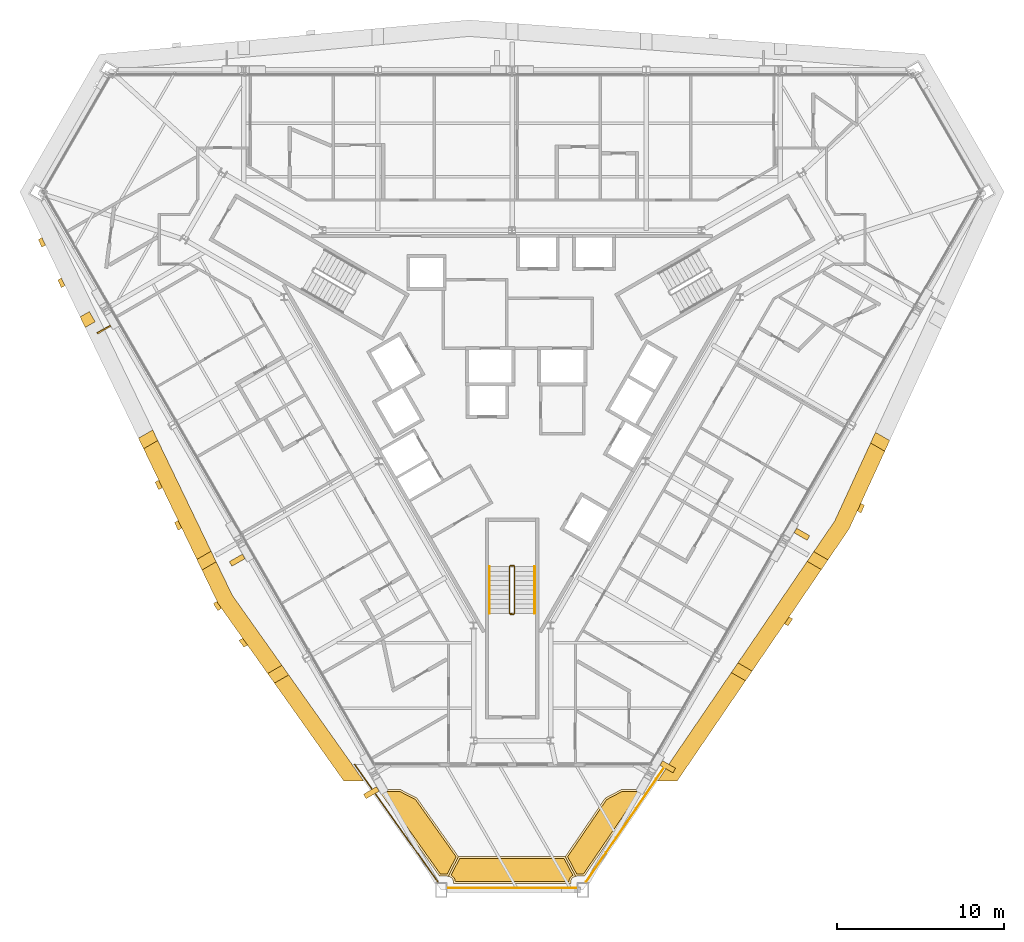
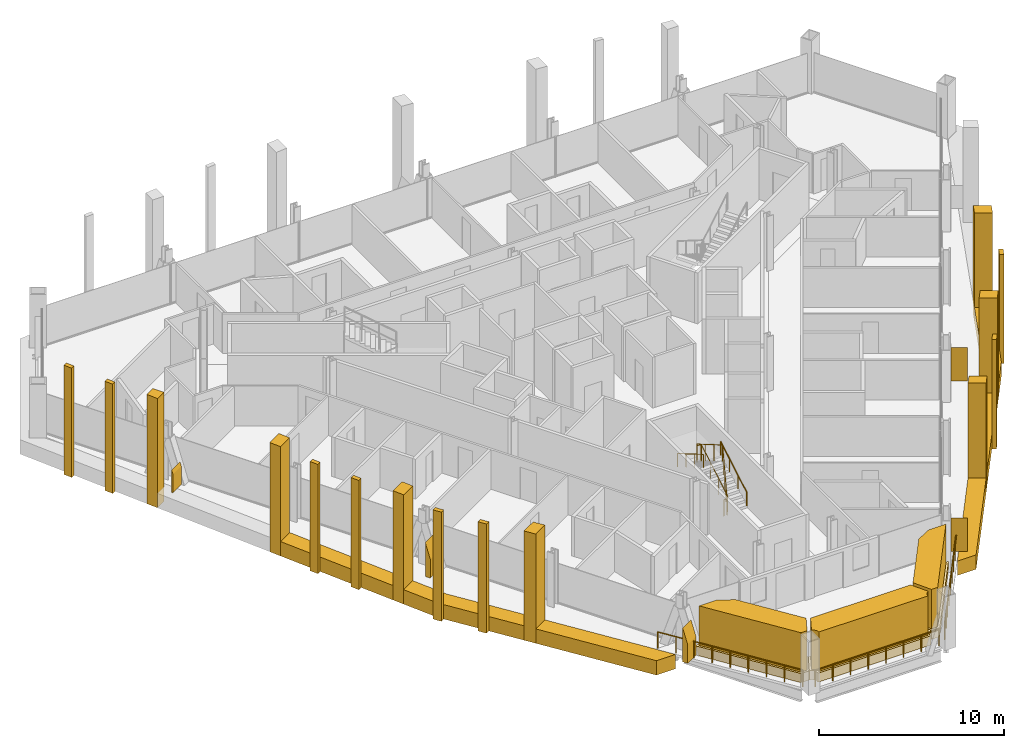
# One storey, part 15 of 16: 32 coverings, 6 railings.
"""IFC4 building model written with IfcOpenShell, lengths in metres."""

from ifc_helpers import new_model, si_unit, direction, frame, origin, origin_2d, place, context, subcontext, project, spatial, polyline, circle, outline, extrude, material, layer, layer_set, type_object, element, save


model = new_model("IFC4")

# Units and contexts
model_context = context("Model", 3, precision=1e-05, world=origin(), true_north=direction((0.0, 1.0)))
body_context = subcontext(model_context, "Body", "Model", "MODEL_VIEW")
ifc_project = project(units=[si_unit("LENGTHUNIT", "METRE"), si_unit("AREAUNIT", "SQUARE_METRE"), si_unit("VOLUMEUNIT", "CUBIC_METRE"), si_unit("PLANEANGLEUNIT", "RADIAN"), si_unit("MASSUNIT", "GRAM", prefix="KILO")], contexts=[model_context])

# Site, building, storey
site_placement = place(None, origin())
site = spatial("IfcSite", under=ifc_project, at=site_placement, CompositionType="ELEMENT")
building_placement = place(site_placement, origin())
building = spatial("IfcBuilding", under=site, at=building_placement, Name="Verrane Prism Tower", CompositionType="ELEMENT")
storey_placement = place(building_placement, frame((0.0, 0.0, 114.39990234375)))
storey = spatial("IfcBuildingStorey", under=building, at=storey_placement, Name="L27", CompositionType="ELEMENT", Elevation=114.39990234375)

# Railings
ifc_material_1 = material(Name="Stainless steel and laminated glass", Category="steel")
railing_type_1 = type_object("IfcRailingType", Name="Garden guard 1100", PredefinedType="GUARDRAIL", material=ifc_material_1)
railing_1_placement = place(storey_placement, frame((-9.405029296875, -22.73779296875, 0.0)))
element("IfcRailing", 1, at=railing_1_placement, inside=storey, type_object=railing_type_1, Name="Garden guard L27 1", PredefinedType="GUARDRAIL", context=body_context, shape_type="SweptSolid", body=[
    extrude(circle(Radius=0.02392578125, at=origin_2d()), frame((0.0, 0.0, 1.076171875), z_axis=(0.578059058102, -0.815994929731, 0.0), x_axis=(0.815994929731, 0.578059058102, 0.0)), (0.0, 0.0, 1.0), 8.605712890625),
    extrude(circle(Radius=0.02099609375, at=origin_2d()), origin(), (0.0, 0.0, 1.0), 1.052001953125),
    extrude(circle(Radius=0.02099609375, at=origin_2d()), frame((0.621826171875, -0.877685546875, 0.0)), (0.0, 0.0, 1.0), 1.052001953125),
    extrude(circle(Radius=0.02099609375, at=origin_2d()), frame((1.24365234375, -1.755615234375, 0.0)), (0.0, 0.0, 1.0), 1.052001953125),
    extrude(circle(Radius=0.02099609375, at=origin_2d()), frame((1.865478515625, -2.63330078125, 0.0)), (0.0, 0.0, 1.0), 1.052001953125),
    extrude(circle(Radius=0.02099609375, at=origin_2d()), frame((2.4873046875, -3.51123046875, 0.0)), (0.0, 0.0, 1.0), 1.052001953125),
    extrude(circle(Radius=0.02099609375, at=origin_2d()), frame((3.109130859375, -4.388916015625, 0.0)), (0.0, 0.0, 1.0), 1.052001953125),
    extrude(circle(Radius=0.02099609375, at=origin_2d()), frame((3.73095703125, -5.2666015625, 0.0)), (0.0, 0.0, 1.0), 1.052001953125),
    extrude(circle(Radius=0.02099609375, at=origin_2d()), frame((4.352783203125, -6.14453125, 0.0)), (0.0, 0.0, 1.0), 1.052001953125),
    extrude(circle(Radius=0.02099609375, at=origin_2d()), frame((4.974609375, -7.022216796875, 0.0)), (0.0, 0.0, 1.0), 1.052001953125),
])
railing_2_placement = place(storey_placement, frame((-3.860107421875, -30.117919921875, 0.0)))
element("IfcRailing", 2, at=railing_2_placement, inside=storey, type_object=railing_type_1, Name="Garden guard L27 2", PredefinedType="GUARDRAIL", context=body_context, shape_type="SweptSolid", body=[
    extrude(circle(Radius=0.02392578125, at=origin_2d()), frame((0.0, 0.0, 1.076171875), z_axis=(1.0, 0.0, 0.0), x_axis=(0.0, 1.0, 0.0)), (0.0, 0.0, 1.0), 7.72021484375),
    extrude(circle(Radius=0.02099609375, at=origin_2d()), origin(), (0.0, 0.0, 1.0), 1.052001953125),
    extrude(circle(Radius=0.02099609375, at=origin_2d()), frame((1.102783203125, 0.0, 0.0)), (0.0, 0.0, 1.0), 1.052001953125),
    extrude(circle(Radius=0.02099609375, at=origin_2d()), frame((2.205810546875, 0.0, 0.0)), (0.0, 0.0, 1.0), 1.052001953125),
    extrude(circle(Radius=0.02099609375, at=origin_2d()), frame((3.30859375, 0.0, 0.0)), (0.0, 0.0, 1.0), 1.052001953125),
    extrude(circle(Radius=0.02099609375, at=origin_2d()), frame((4.41162109375, 0.0, 0.0)), (0.0, 0.0, 1.0), 1.052001953125),
    extrude(circle(Radius=0.02099609375, at=origin_2d()), frame((5.514404296875, 0.0, 0.0)), (0.0, 0.0, 1.0), 1.052001953125),
    extrude(circle(Radius=0.02099609375, at=origin_2d()), frame((6.617431640625, 0.0, 0.0)), (0.0, 0.0, 1.0), 1.052001953125),
    extrude(circle(Radius=0.02099609375, at=origin_2d()), frame((7.72021484375, 0.0, 0.0)), (0.0, 0.0, 1.0), 1.052001953125),
])
railing_3_placement = place(storey_placement, frame((4.419677734375, -29.760009765625, 0.0)))
element("IfcRailing", 3, at=railing_3_placement, inside=storey, type_object=railing_type_1, Name="Garden guard L27 3", PredefinedType="GUARDRAIL", context=body_context, shape_type="SweptSolid", body=[
    extrude(circle(Radius=0.02392578125, at=origin_2d()), frame((0.0, 0.0, 1.076171875), z_axis=(0.563432186418, 0.826162315352, 0.0), x_axis=(-0.826162315352, 0.563432186418, 0.0)), (0.0, 0.0, 1.0), 8.499755859375),
    extrude(circle(Radius=0.02099609375, at=origin_2d()), origin(), (0.0, 0.0, 1.0), 1.052001953125),
    extrude(circle(Radius=0.02099609375, at=origin_2d()), frame((0.5986328125, 0.877685546875, 0.0)), (0.0, 0.0, 1.0), 1.052001953125),
    extrude(circle(Radius=0.02099609375, at=origin_2d()), frame((1.197265625, 1.755615234375, 0.0)), (0.0, 0.0, 1.0), 1.052001953125),
    extrude(circle(Radius=0.02099609375, at=origin_2d()), frame((1.7958984375, 2.63330078125, 0.0)), (0.0, 0.0, 1.0), 1.052001953125),
    extrude(circle(Radius=0.02099609375, at=origin_2d()), frame((2.39453125, 3.51123046875, 0.0)), (0.0, 0.0, 1.0), 1.052001953125),
    extrude(circle(Radius=0.02099609375, at=origin_2d()), frame((2.9931640625, 4.388916015625, 0.0)), (0.0, 0.0, 1.0), 1.052001953125),
    extrude(circle(Radius=0.02099609375, at=origin_2d()), frame((3.591796875, 5.2666015625, 0.0)), (0.0, 0.0, 1.0), 1.052001953125),
    extrude(circle(Radius=0.02099609375, at=origin_2d()), frame((4.1904296875, 6.14453125, 0.0)), (0.0, 0.0, 1.0), 1.052001953125),
    extrude(circle(Radius=0.02099609375, at=origin_2d()), frame((4.7890625, 7.022216796875, 0.0)), (0.0, 0.0, 1.0), 1.052001953125),
])

# Coverings
ifc_material_2 = material(Name="Planting medium in stone kerb", Category="masonry")
covering_type_1 = type_object("IfcCoveringType", Name="Planter bed 600", PredefinedType="USERDEFINED", material=ifc_material_2)
covering_1_placement = place(storey_placement, origin())
element("IfcCovering", 4, at=covering_1_placement, inside=storey, type_object=covering_type_1, Name="Planter bed L27 1", ObjectType="PLANTER", PredefinedType="USERDEFINED", context=body_context, shape_type="SweptSolid", body=[
    extrude(outline(polyline([(-6.6513671875, -24.23779296875), (-7.99951171875, -24.23779296875), (-4.335205078125, -29.409912109375), (-3.860107421875, -29.409912109375), (-3.82568359375, -29.41162109375), (-3.812744140625, -29.41357421875), (-3.204833984375, -28.23779296875), (-5.684326171875, -24.73779296875), (-6.6513671875, -24.23779296875)])), origin(), (0.0, 0.0, 1.0), 0.60009765625),
])
covering_2_placement = place(storey_placement, origin())
element("IfcCovering", 5, at=covering_2_placement, inside=storey, type_object=covering_type_1, Name="Planter bed L27 2", ObjectType="PLANTER", PredefinedType="USERDEFINED", context=body_context, shape_type="SweptSolid", body=[
    extrude(outline(polyline([(3.695068359375, -29.451416015625), (3.72607421875, -29.4365234375), (3.75830078125, -29.425048828125), (3.791748046875, -29.416748046875), (3.80419921875, -29.414794921875), (3.18212890625, -28.23779296875), (-3.204833984375, -28.23779296875), (-3.812744140625, -29.41357421875), (-3.791748046875, -29.416748046875), (-3.75830078125, -29.425048828125), (-3.72607421875, -29.4365234375), (-3.695068359375, -29.451416015625), (-3.66552734375, -29.468994140625), (-3.637939453125, -29.489501953125), (-3.612548828125, -29.512451171875), (-3.58935546875, -29.5380859375), (-3.569091796875, -29.565673828125), (-3.55126953125, -29.594970703125), (-3.53662109375, -29.626220703125), (-3.525146484375, -29.658447265625), (-3.5166015625, -29.691650390625), (-3.51171875, -29.7255859375), (-3.510009765625, -29.760009765625), (-3.510009765625, -29.837890625), (3.510009765625, -29.837890625), (3.510009765625, -29.760009765625), (3.51171875, -29.7255859375), (3.5166015625, -29.691650390625), (3.525146484375, -29.658447265625), (3.53662109375, -29.626220703125), (3.55126953125, -29.594970703125), (3.569091796875, -29.565673828125), (3.58935546875, -29.5380859375), (3.612548828125, -29.512451171875), (3.637939453125, -29.489501953125), (3.66552734375, -29.468994140625), (3.695068359375, -29.451416015625)])), origin(), (0.0, 0.0, 1.0), 0.60009765625),
])
covering_3_placement = place(storey_placement, origin())
element("IfcCovering", 6, at=covering_3_placement, inside=storey, type_object=covering_type_1, Name="Planter bed L27 3", ObjectType="PLANTER", PredefinedType="USERDEFINED", context=body_context, shape_type="SweptSolid", body=[
    extrude(outline(polyline([(3.80419921875, -29.414794921875), (3.82568359375, -29.41162109375), (3.860107421875, -29.409912109375), (4.3193359375, -29.409912109375), (7.846923828125, -24.23779296875), (6.515380859375, -24.23779296875), (5.569091796875, -24.73779296875), (3.18212890625, -28.23779296875), (3.80419921875, -29.414794921875)])), origin(), (0.0, 0.0, 1.0), 0.60009765625),
])
ifc_material_3 = material(Name="Planted shrubs and grasses", Category="other")
covering_type_2 = type_object("IfcCoveringType", Name="Planting mass 1000", PredefinedType="USERDEFINED", material=ifc_material_3)
covering_4_placement = place(storey_placement, frame((0.0, 0.0, 0.60009765625)))
element("IfcCovering", 7, at=covering_4_placement, inside=storey, type_object=covering_type_2, Name="Planting L27 1", ObjectType="PLANTING", PredefinedType="USERDEFINED", context=body_context, shape_type="SweptSolid", body=[
    extrude(outline(polyline([(-6.680419921875, -24.35791015625), (-7.767333984375, -24.35791015625), (-4.273193359375, -29.2900390625), (-3.884033203125, -29.2900390625), (-3.344970703125, -28.24755859375), (-5.765380859375, -24.8310546875), (-6.680419921875, -24.35791015625)])), origin(), (0.0, 0.0, 1.0), 2.60009765625),
])
covering_5_placement = place(storey_placement, frame((0.0, 0.0, 0.60009765625)))
element("IfcCovering", 8, at=covering_5_placement, inside=storey, type_object=covering_type_2, Name="Planting L27 2", ObjectType="PLANTING", PredefinedType="USERDEFINED", context=body_context, shape_type="SweptSolid", body=[
    extrude(outline(polyline([(-3.638427734375, -29.345458984375), (-3.598876953125, -29.369140625), (-3.561767578125, -29.396484375), (-3.527587890625, -29.427490234375), (-3.49658203125, -29.461669921875), (-3.468994140625, -29.498779296875), (-3.4453125, -29.538330078125), (-3.425537109375, -29.580078125), (-3.41015625, -29.62353515625), (-3.39892578125, -29.668212890625), (-3.39208984375, -29.7138671875), (-3.391845703125, -29.7177734375), (3.391845703125, -29.7177734375), (3.39208984375, -29.7138671875), (3.39892578125, -29.668212890625), (3.41015625, -29.62353515625), (3.425537109375, -29.580078125), (3.4453125, -29.538330078125), (3.468994140625, -29.498779296875), (3.49658203125, -29.461669921875), (3.527587890625, -29.427490234375), (3.561767578125, -29.396484375), (3.598876953125, -29.369140625), (3.63330078125, -29.348388671875), (3.10986328125, -28.35791015625), (-3.1318359375, -28.35791015625), (-3.6416015625, -29.34375), (-3.638427734375, -29.345458984375)])), origin(), (0.0, 0.0, 1.0), 2.60009765625),
])
covering_6_placement = place(storey_placement, frame((0.0, 0.0, 0.60009765625)))
element("IfcCovering", 9, at=covering_6_placement, inside=storey, type_object=covering_type_2, Name="Planting L27 3", ObjectType="PLANTING", PredefinedType="USERDEFINED", context=body_context, shape_type="SweptSolid", body=[
    extrude(outline(polyline([(3.873779296875, -29.2900390625), (4.256103515625, -29.2900390625), (7.619873046875, -24.35791015625), (6.545166015625, -24.35791015625), (5.651611328125, -24.830078125), (3.322021484375, -28.24560546875), (3.873779296875, -29.2900390625)])), origin(), (0.0, 0.0, 1.0), 2.60009765625),
])

# Railings
ifc_material_4 = material(Name="Steel A36 rail and posts, no infill", Category="steel")
railing_type_2 = type_object("IfcRailingType", Name="Stair guard 1100 steel rail and posts", PredefinedType="GUARDRAIL", material=ifc_material_4)
railing_4_placement = place(storey_placement, frame((0.14990234375, -13.699951171875, 0.163818359375)))
element("IfcRailing", 10, at=railing_4_placement, inside=storey, type_object=railing_type_2, Name="Stair 3 guard", PredefinedType="GUARDRAIL", context=body_context, shape_type="SweptSolid", body=[
    extrude(circle(Radius=0.02392578125, at=origin_2d()), frame((0.0, 0.0, 1.076171875), z_axis=(0.0, 0.863393664356, 0.504530851732), x_axis=(-1.0, 0.0, 0.0)), (0.0, 0.0, 1.0), 3.2431640625),
    extrude(circle(Radius=0.02392578125, at=origin_2d()), frame((0.0, 2.800048828125, 2.71240234375), z_axis=(-0.707106781187, 0.707106781187, 0.0), x_axis=(-0.707106781187, -0.707106781187, 0.0)), (0.0, 0.0, 1.0), 0.0703125),
    extrude(circle(Radius=0.02392578125, at=origin_2d()), frame((-0.0498046875, 2.849853515625, 2.71240234375), z_axis=(-1.0, 0.0, 0.0), x_axis=(0.0, -1.0, 0.0)), (0.0, 0.0, 1.0), 0.2001953125),
    extrude(circle(Radius=0.02392578125, at=origin_2d()), frame((-0.25, 2.849853515625, 2.71240234375), z_axis=(-0.279653641804, -0.279653641804, 0.918470294159), x_axis=(0.707106781187, -0.707106781187, 0.0)), (0.0, 0.0, 1.0), 0.177978515625),
    extrude(circle(Radius=0.02392578125, at=origin_2d()), frame((-0.2998046875, 2.800048828125, 2.8759765625), z_axis=(0.0, -0.863360870873, 0.504586966384), x_axis=(1.0, 0.0, 0.0)), (0.0, 0.0, 1.0), 3.2431640625),
    extrude(circle(Radius=0.02392578125, at=origin_2d()), frame((-0.2998046875, 0.0, 4.51220703125), z_axis=(0.069269067181, -0.013867342551, -0.997501625634), x_axis=(0.196300278283, 0.98054382908, 0.0)), (0.0, 0.0, 1.0), 3.609130859375),
    extrude(circle(Radius=0.02392578125, at=origin_2d()), frame((-0.0498046875, -0.050048828125, 0.912109375), z_axis=(-1.0, 0.0, 0.0), x_axis=(0.0, -1.0, 0.0)), (0.0, 0.0, 1.0), 0.2001953125),
    extrude(circle(Radius=0.02099609375, at=origin_2d()), origin(), (0.0, 0.0, 1.0), 1.052001953125),
    extrude(circle(Radius=0.02099609375, at=origin_2d()), frame((0.0, 0.933349609375, 0.54541015625)), (0.0, 0.0, 1.0), 1.052001953125),
    extrude(circle(Radius=0.02099609375, at=origin_2d()), frame((0.0, 1.86669921875, 1.0908203125)), (0.0, 0.0, 1.0), 1.052001953125),
    extrude(circle(Radius=0.02099609375, at=origin_2d()), frame((0.0, 2.800048828125, 1.63623046875)), (0.0, 0.0, 1.0), 1.052001953125),
    extrude(circle(Radius=0.02099609375, at=origin_2d()), frame((-0.0498046875, 2.849853515625, 1.63623046875)), (0.0, 0.0, 1.0), 1.052001953125),
    extrude(circle(Radius=0.02099609375, at=origin_2d()), frame((-0.25, 2.849853515625, 1.63623046875)), (0.0, 0.0, 1.0), 1.052001953125),
    extrude(circle(Radius=0.02099609375, at=origin_2d()), frame((-0.2998046875, 2.800048828125, 1.7998046875)), (0.0, 0.0, 1.0), 1.052001953125),
    extrude(circle(Radius=0.02099609375, at=origin_2d()), frame((-0.2998046875, 1.86669921875, 2.34521484375)), (0.0, 0.0, 1.0), 1.052001953125),
    extrude(circle(Radius=0.02099609375, at=origin_2d()), frame((-0.2998046875, 0.933349609375, 2.890869140625)), (0.0, 0.0, 1.0), 1.052001953125),
    extrude(circle(Radius=0.02099609375, at=origin_2d()), frame((-0.2998046875, 0.0, 3.436279296875)), (0.0, 0.0, 1.0), 1.052001953125),
    extrude(circle(Radius=0.02099609375, at=origin_2d()), frame((-0.2373046875, -0.012451171875, 2.5361328125)), (0.0, 0.0, 1.0), 1.052001953125),
    extrude(circle(Radius=0.02099609375, at=origin_2d()), frame((-0.1748046875, -0.02490234375, 1.63623046875)), (0.0, 0.0, 1.0), 1.052001953125),
    extrude(circle(Radius=0.02099609375, at=origin_2d()), frame((-0.1123046875, -0.03759765625, 0.736328125)), (0.0, 0.0, 1.0), 1.052001953125),
    extrude(circle(Radius=0.02099609375, at=origin_2d()), frame((-0.0498046875, -0.050048828125, -0.163818359375)), (0.0, 0.0, 1.0), 1.052001953125),
    extrude(circle(Radius=0.02099609375, at=origin_2d()), frame((-0.25, -0.050048828125, -0.163818359375)), (0.0, 0.0, 1.0), 1.052001953125),
])
ifc_material_5 = material(Name="Steel A36 tube", Category="steel")
railing_type_3 = type_object("IfcRailingType", Name="Stair handrail 900 steel tube", PredefinedType="HANDRAIL", material=ifc_material_5)
railing_5_placement = place(storey_placement, frame((1.35009765625, -13.699951171875, 0.163818359375)))
element("IfcRailing", 11, at=railing_5_placement, inside=storey, type_object=railing_type_3, Name="Stair 3 handrail", PredefinedType="HANDRAIL", context=body_context, shape_type="SweptSolid", body=[
    extrude(circle(Radius=0.02392578125, at=origin_2d()), frame((0.0, 0.0, 0.8759765625), z_axis=(0.0, 0.863393664356, 0.504530851732), x_axis=(-1.0, 0.0, 0.0)), (0.0, 0.0, 1.0), 3.2431640625),
    extrude(circle(Radius=0.02099609375, at=origin_2d()), origin(), (0.0, 0.0, 1.0), 0.851806640625),
    extrude(circle(Radius=0.02099609375, at=origin_2d()), frame((0.0, 0.933349609375, 0.54541015625)), (0.0, 0.0, 1.0), 0.851806640625),
    extrude(circle(Radius=0.02099609375, at=origin_2d()), frame((0.0, 1.86669921875, 1.0908203125)), (0.0, 0.0, 1.0), 0.851806640625),
    extrude(circle(Radius=0.02099609375, at=origin_2d()), frame((0.0, 2.800048828125, 1.63623046875)), (0.0, 0.0, 1.0), 0.851806640625),
])
railing_6_placement = place(storey_placement, frame((-1.35009765625, -10.89990234375, 1.963623046875)))
element("IfcRailing", 12, at=railing_6_placement, inside=storey, type_object=railing_type_3, Name="Stair 3 handrail", PredefinedType="HANDRAIL", context=body_context, shape_type="SweptSolid", body=[
    extrude(circle(Radius=0.02392578125, at=origin_2d()), frame((0.0, 0.0, 0.8759765625), z_axis=(0.0, -0.863360870873, 0.504586966384), x_axis=(1.0, 0.0, 0.0)), (0.0, 0.0, 1.0), 3.2431640625),
    extrude(circle(Radius=0.02099609375, at=origin_2d()), origin(), (0.0, 0.0, 1.0), 0.851806640625),
    extrude(circle(Radius=0.02099609375, at=origin_2d()), frame((0.0, -0.933349609375, 0.54541015625)), (0.0, 0.0, 1.0), 0.851806640625),
    extrude(circle(Radius=0.02099609375, at=origin_2d()), frame((0.0, -1.86669921875, 1.091064453125)), (0.0, 0.0, 1.0), 0.851806640625),
    extrude(circle(Radius=0.02099609375, at=origin_2d()), frame((0.0, -2.800048828125, 1.636474609375)), (0.0, 0.0, 1.0), 0.851806640625),
])

# Coverings
ifc_material_6 = material(Name="Warm limestone cladding", Category="masonry")
ifc_layer_1 = layer(ifc_material_6, 0.89990234375)
ifc_layer_set_1 = layer_set([ifc_layer_1], Name="Stone brace fin 900")
covering_type_3 = type_object("IfcCoveringType", Name="Stone brace fin 900", PredefinedType="CLADDING", material=ifc_layer_set_1)
covering_7_placement = place(storey_placement, frame((-24.38232421875, 3.236328125, 0.0), z_axis=(0.0, 0.0, 1.0), x_axis=(-0.499812034598, 0.866133898465, 0.0)))
element("IfcCovering", 13, at=covering_7_placement, inside=storey, type_object=covering_type_3, Name="Stone brace fin SW2 L27", PredefinedType="CLADDING", context=body_context, shape_type="SweptSolid", body=[
    extrude(outline(polyline([(0.0, 0.0), (0.07861328125, 0.0), (0.07861328125, 1.48681640625), (0.0, 1.239990234375), (0.0, 0.0)])), frame((0.0, 0.449951171875, 0.0), z_axis=(0.0, -1.0, 0.0), x_axis=(1.0, 0.0, 0.0)), (0.0, 0.0, 1.0), 0.89990234375),
])
for number, where, z_axis, x_axis, name in (
    (14, (-16.35400390625, -10.653076171875, 0.0), (0.0, 0.0, 1.0), (-0.499229470695, 0.866469812279, 0.0), "Stone brace fin SW4 L27"),
    (15, (-8.333984375, -24.552978515625, 0.0), (0.0, 0.0, 1.0), (-0.500148202271, 0.865939822254, 0.0), "Stone brace fin SW6 L27"),
    (16, (9.385498046875, -22.730712890625, 0.0), (0.0, 0.0, 1.0), (-0.499812034598, -0.866133898465, 0.0), "Stone brace fin SE2 L27"),
):
    element("IfcCovering", number, at=place(storey_placement, frame(where, z_axis=z_axis, x_axis=x_axis)), inside=storey, type_object=covering_type_3, Name=name, PredefinedType="CLADDING", context=body_context, shape_type="SweptSolid", body=[
        extrude(outline(polyline([(0.0, 0.0), (0.314453125, 0.0), (0.314453125, 2.228515625), (0.0, 1.24072265625), (0.0, 0.0)])), frame((0.0, 0.449951171875, 0.0), z_axis=(0.0, -1.0, 0.0), x_axis=(1.0, 0.0, 0.0)), (0.0, 0.0, 1.0), 0.89990234375),
    ])
covering_8_placement = place(storey_placement, frame((17.4052734375, -8.83251953125, 0.0), z_axis=(0.0, 0.0, 1.0), x_axis=(-0.500484746889, -0.865745354091, 0.0)))
element("IfcCovering", 17, at=covering_8_placement, inside=storey, type_object=covering_type_3, Name="Stone brace fin SE4 L27", PredefinedType="CLADDING", context=body_context, shape_type="SweptSolid", body=[
    extrude(outline(polyline([(0.0, 0.0), (0.314208984375, 0.0), (0.314208984375, 2.22998046875), (0.0, 1.2421875), (0.0, 0.0)])), frame((0.0, 0.449951171875, 0.0), z_axis=(0.0, -1.0, 0.0), x_axis=(1.0, 0.0, 0.0)), (0.0, 0.0, 1.0), 0.89990234375),
])
ifc_material_7 = material(Name="Warm limestone cladding", Category="masonry")
covering_type_4 = type_object("IfcCoveringType", Name="Stone mullion pier 500", PredefinedType="CLADDING", material=ifc_material_7)
covering_9_placement = place(storey_placement, frame((0.0, 0.0, -0.949951171875)))
element("IfcCovering", 18, at=covering_9_placement, inside=storey, type_object=covering_type_4, Name="Stone pier SM-SW0.1 L27-L28", PredefinedType="CLADDING", context=body_context, shape_type="SweptSolid", body=[
    extrude(outline(polyline([(-27.8837890625, 8.315185546875), (-28.101318359375, 8.76708984375), (-28.318359375, 8.6416015625), (-28.100830078125, 8.189697265625), (-27.8837890625, 8.315185546875)])), origin(), (0.0, 0.0, 1.0), 7.199951171875),
])
covering_10_placement = place(storey_placement, frame((0.0, 0.0, -0.949951171875)))
element("IfcCovering", 19, at=covering_10_placement, inside=storey, type_object=covering_type_4, Name="Stone pier SM-SW0.2 L27-L28", PredefinedType="CLADDING", context=body_context, shape_type="SweptSolid", body=[
    extrude(outline(polyline([(-26.720703125, 5.89892578125), (-26.93798828125, 6.350830078125), (-27.1552734375, 6.225341796875), (-26.937744140625, 5.773681640625), (-26.720703125, 5.89892578125)])), origin(), (0.0, 0.0, 1.0), 7.199951171875),
])
covering_11_placement = place(storey_placement, frame((0.0, 0.0, -0.949951171875)))
element("IfcCovering", 20, at=covering_11_placement, inside=storey, type_object=covering_type_4, Name="Stone pier SM-SW2.1 L27-L28", PredefinedType="CLADDING", context=body_context, shape_type="SweptSolid", body=[
    extrude(outline(polyline([(-20.90478515625, -6.182373046875), (-21.122314453125, -5.730712890625), (-21.33935546875, -5.85595703125), (-21.121826171875, -6.307861328125), (-20.90478515625, -6.182373046875)])), origin(), (0.0, 0.0, 1.0), 7.199951171875),
])
covering_12_placement = place(storey_placement, frame((0.0, 0.0, -0.949951171875)))
element("IfcCovering", 21, at=covering_12_placement, inside=storey, type_object=covering_type_4, Name="Stone pier SM-SW2.2 L27-L28", PredefinedType="CLADDING", context=body_context, shape_type="SweptSolid", body=[
    extrude(outline(polyline([(-19.74169921875, -8.5986328125), (-19.958984375, -8.146728515625), (-20.17626953125, -8.272216796875), (-19.958740234375, -8.72412109375), (-19.74169921875, -8.5986328125)])), origin(), (0.0, 0.0, 1.0), 7.199951171875),
])
covering_13_placement = place(storey_placement, frame((0.0, 0.0, -0.949951171875)))
element("IfcCovering", 22, at=covering_13_placement, inside=storey, type_object=covering_type_4, Name="Stone pier SM-SW3.1 L27-L28", PredefinedType="CLADDING", context=body_context, shape_type="SweptSolid", body=[
    extrude(outline(polyline([(-17.364501953125, -13.402099609375), (-17.566650390625, -13.116455078125), (-17.6328125, -12.9794921875), (-17.849853515625, -13.104736328125), (-17.782958984375, -13.243896484375), (-17.58203125, -13.527587890625), (-17.364501953125, -13.402099609375)])), origin(), (0.0, 0.0, 1.0), 7.199951171875),
])
covering_14_placement = place(storey_placement, frame((0.0, 0.0, -0.949951171875)))
element("IfcCovering", 23, at=covering_14_placement, inside=storey, type_object=covering_type_4, Name="Stone pier SM-SW3.2 L27-L28", PredefinedType="CLADDING", context=body_context, shape_type="SweptSolid", body=[
    extrude(outline(polyline([(-15.81201171875, -15.593505859375), (-16.102294921875, -15.18359375), (-16.31982421875, -15.30908203125), (-16.029541015625, -15.718994140625), (-15.81201171875, -15.593505859375)])), origin(), (0.0, 0.0, 1.0), 7.199951171875),
])
covering_15_placement = place(storey_placement, frame((0.0, 0.0, -0.949951171875)))
element("IfcCovering", 24, at=covering_15_placement, inside=storey, type_object=covering_type_4, Name="Stone pier SM-SE2.1 L27-L28", PredefinedType="CLADDING", context=body_context, shape_type="SweptSolid", body=[
    extrude(outline(polyline([(16.56201171875, -13.905029296875), (16.279541015625, -14.3193359375), (16.49658203125, -14.444580078125), (16.779052734375, -14.030517578125), (16.56201171875, -13.905029296875)])), origin(), (0.0, 0.0, 1.0), 7.199951171875),
])
covering_16_placement = place(storey_placement, frame((0.0, 0.0, -0.949951171875)))
element("IfcCovering", 25, at=covering_16_placement, inside=storey, type_object=covering_type_4, Name="Stone pier SM-SE3.1 L27-L28", PredefinedType="CLADDING", context=body_context, shape_type="SweptSolid", body=[
    extrude(outline(polyline([(20.849609375, -7.1171875), (20.639892578125, -7.573486328125), (20.857421875, -7.698974609375), (21.06689453125, -7.24267578125), (20.849609375, -7.1171875)])), origin(), (0.0, 0.0, 1.0), 7.199951171875),
])
ifc_material_8 = material(Name="Warm limestone cladding", Category="masonry")
covering_type_5 = type_object("IfcCoveringType", Name="Stone pier 700", PredefinedType="CLADDING", material=ifc_material_8)
covering_17_placement = place(storey_placement, frame((0.0, 0.0, -0.949951171875)))
element("IfcCovering", 26, at=covering_17_placement, inside=storey, type_object=covering_type_5, Name="Stone pier PC-SW1 L27-L28", PredefinedType="CLADDING", context=body_context, shape_type="SweptSolid", body=[
    extrude(outline(polyline([(-24.91748046875, 3.73681640625), (-25.049560546875, 3.965576171875), (-25.267578125, 4.343017578125), (-25.818359375, 4.02490234375), (-25.513916015625, 3.392333984375), (-24.91748046875, 3.73681640625)])), origin(), (0.0, 0.0, 1.0), 7.199951171875),
])
covering_18_placement = place(storey_placement, frame((0.0, 0.0, -0.949951171875)))
element("IfcCovering", 27, at=covering_18_placement, inside=storey, type_object=covering_type_5, Name="Stone pier PC-SW2 L27-L28", PredefinedType="CLADDING", context=body_context, shape_type="SweptSolid", body=[
    extrude(outline(polyline([(-22.0244140625, -3.8564453125), (-21.175048828125, -3.3662109375), (-21.4794921875, -2.733642578125), (-22.328857421875, -3.22412109375), (-22.0244140625, -3.8564453125)])), origin(), (0.0, 0.0, 1.0), 7.199951171875),
])
covering_19_placement = place(storey_placement, frame((0.0, 0.0, -0.949951171875)))
element("IfcCovering", 28, at=covering_19_placement, inside=storey, type_object=covering_type_5, Name="Stone pier PC-SW3 L27-L28", PredefinedType="CLADDING", context=body_context, shape_type="SweptSolid", body=[
    extrude(outline(polyline([(-18.534912109375, -11.105224609375), (-17.685546875, -10.614990234375), (-17.989990234375, -9.982421875), (-18.83935546875, -10.472900390625), (-18.534912109375, -11.105224609375)])), origin(), (0.0, 0.0, 1.0), 7.199951171875),
])
covering_20_placement = place(storey_placement, frame((0.0, 0.0, -0.949951171875)))
element("IfcCovering", 29, at=covering_20_placement, inside=storey, type_object=covering_type_5, Name="Stone pier PC-SW4 L27-L28", PredefinedType="CLADDING", context=body_context, shape_type="SweptSolid", body=[
    extrude(outline(polyline([(-14.201416015625, -17.866943359375), (-13.350830078125, -17.375732421875), (-13.757080078125, -16.802001953125), (-14.60791015625, -17.293212890625), (-14.201416015625, -17.866943359375)])), origin(), (0.0, 0.0, 1.0), 7.199951171875),
])
covering_21_placement = place(storey_placement, frame((0.0, 0.0, -0.949951171875)))
element("IfcCovering", 30, at=covering_21_placement, inside=storey, type_object=covering_type_5, Name="Stone pier PC-SE2 L27-L28", PredefinedType="CLADDING", context=body_context, shape_type="SweptSolid", body=[
    extrude(outline(polyline([(14.35205078125, -17.1455078125), (13.502685546875, -16.655029296875), (13.107177734375, -17.235107421875), (13.95654296875, -17.725341796875), (14.35205078125, -17.1455078125)])), origin(), (0.0, 0.0, 1.0), 7.199951171875),
])
covering_22_placement = place(storey_placement, frame((0.0, 0.0, -0.949951171875)))
element("IfcCovering", 31, at=covering_22_placement, inside=storey, type_object=covering_type_5, Name="Stone pier PC-SE3 L27-L28", PredefinedType="CLADDING", context=body_context, shape_type="SweptSolid", body=[
    extrude(outline(polyline([(18.885009765625, -10.4990234375), (18.035400390625, -10.0087890625), (17.639892578125, -10.588623046875), (18.489501953125, -11.0791015625), (18.885009765625, -10.4990234375)])), origin(), (0.0, 0.0, 1.0), 7.199951171875),
])
covering_23_placement = place(storey_placement, frame((0.0, 0.0, -0.949951171875)))
element("IfcCovering", 32, at=covering_23_placement, inside=storey, type_object=covering_type_5, Name="Stone pier PC-SE4 L27-L28", PredefinedType="CLADDING", context=body_context, shape_type="SweptSolid", body=[
    extrude(outline(polyline([(22.573974609375, -3.365478515625), (21.72314453125, -2.874267578125), (21.4296875, -3.51318359375), (22.2802734375, -4.004150390625), (22.573974609375, -3.365478515625)])), origin(), (0.0, 0.0, 1.0), 7.199951171875),
])
ifc_material_9 = material(Name="Warm limestone cladding", Category="masonry")
ifc_layer_2 = layer(ifc_material_9, 0.449951171875)
ifc_layer_set_2 = layer_set([ifc_layer_2], Name="Stone spandrel band 450")
covering_type_6 = type_object("IfcCoveringType", Name="Stone spandrel band 450", PredefinedType="CLADDING", material=ifc_layer_set_2)
covering_24_placement = place(storey_placement, frame((0.0, 0.0, -0.949951171875)))
element("IfcCovering", 33, at=covering_24_placement, inside=storey, type_object=covering_type_6, Name="Stone spandrel band L27 part 3", PredefinedType="CLADDING", context=body_context, shape_type="SweptSolid", body=[
    extrude(outline(polyline([(13.95654296875, -17.725341796875), (13.107177734375, -17.235107421875), (9.36083984375, -22.727783203125), (9.373046875, -22.727783203125), (8.69921875, -23.7158203125), (9.870849609375, -23.7158203125), (13.95654296875, -17.725341796875)])), origin(), (0.0, 0.0, 1.0), 0.949951171875),
])
covering_25_placement = place(storey_placement, frame((0.0, 0.0, -0.949951171875)))
element("IfcCovering", 34, at=covering_25_placement, inside=storey, type_object=covering_type_6, Name="Stone spandrel band L27 part 4", PredefinedType="CLADDING", context=body_context, shape_type="SweptSolid", body=[
    extrude(outline(polyline([(-13.350830078125, -17.375732421875), (-14.201416015625, -17.866943359375), (-10.05810546875, -23.7158203125), (-8.87158203125, -23.7158203125), (-9.571533203125, -22.727783203125), (-9.559326171875, -22.727783203125), (-13.350830078125, -17.375732421875)])), origin(), (0.0, 0.0, 1.0), 0.949951171875),
])
covering_26_placement = place(storey_placement, frame((0.0, 0.0, -0.949951171875)))
element("IfcCovering", 35, at=covering_26_placement, inside=storey, type_object=covering_type_6, Name="Stone spandrel band L27 part 5", PredefinedType="CLADDING", context=body_context, shape_type="SweptSolid", body=[
    extrude(outline(polyline([(-21.175048828125, -3.3662109375), (-22.0244140625, -3.8564453125), (-18.83935546875, -10.472900390625), (-17.989990234375, -9.982421875), (-21.175048828125, -3.3662109375)])), origin(), (0.0, 0.0, 1.0), 0.949951171875),
])
covering_27_placement = place(storey_placement, frame((0.0, 0.0, -0.949951171875)))
element("IfcCovering", 36, at=covering_27_placement, inside=storey, type_object=covering_type_6, Name="Stone spandrel band L27 part 6", PredefinedType="CLADDING", context=body_context, shape_type="SweptSolid", body=[
    extrude(outline(polyline([(-17.685546875, -10.614990234375), (-18.534912109375, -11.105224609375), (-17.566650390625, -13.116455078125), (-14.60791015625, -17.293212890625), (-13.757080078125, -16.802001953125), (-16.72119140625, -12.6181640625), (-17.685546875, -10.614990234375)])), origin(), (0.0, 0.0, 1.0), 0.949951171875),
])
covering_28_placement = place(storey_placement, frame((0.0, 0.0, -0.949951171875)))
element("IfcCovering", 37, at=covering_28_placement, inside=storey, type_object=covering_type_6, Name="Stone spandrel band L27 part 7", PredefinedType="CLADDING", context=body_context, shape_type="SweptSolid", body=[
    extrude(outline(polyline([(17.639892578125, -10.588623046875), (13.502685546875, -16.655029296875), (14.35205078125, -17.1455078125), (18.489501953125, -11.0791015625), (17.639892578125, -10.588623046875)])), origin(), (0.0, 0.0, 1.0), 0.949951171875),
])
covering_29_placement = place(storey_placement, frame((0.0, 0.0, -0.949951171875)))
element("IfcCovering", 38, at=covering_29_placement, inside=storey, type_object=covering_type_6, Name="Stone spandrel band L27 part 8", PredefinedType="CLADDING", context=body_context, shape_type="SweptSolid", body=[
    extrude(outline(polyline([(21.4296875, -3.51318359375), (19.288330078125, -8.171875), (18.035400390625, -10.0087890625), (18.885009765625, -10.4990234375), (20.142578125, -8.655029296875), (22.2802734375, -4.004150390625), (21.4296875, -3.51318359375)])), origin(), (0.0, 0.0, 1.0), 0.949951171875),
])

save(model, "model.ifc")
